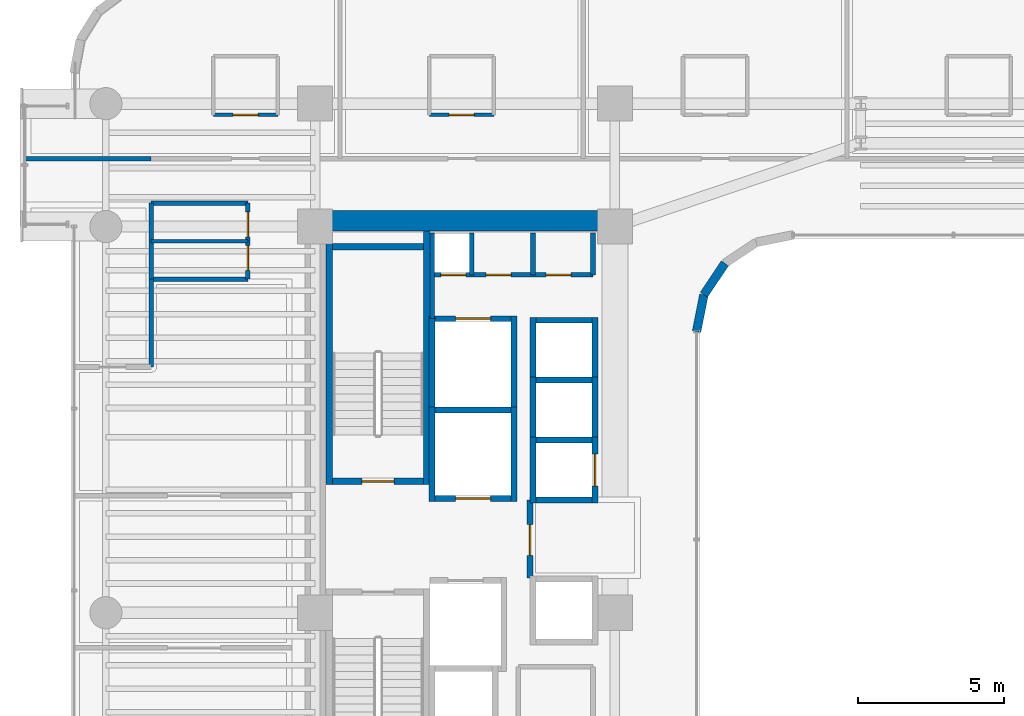
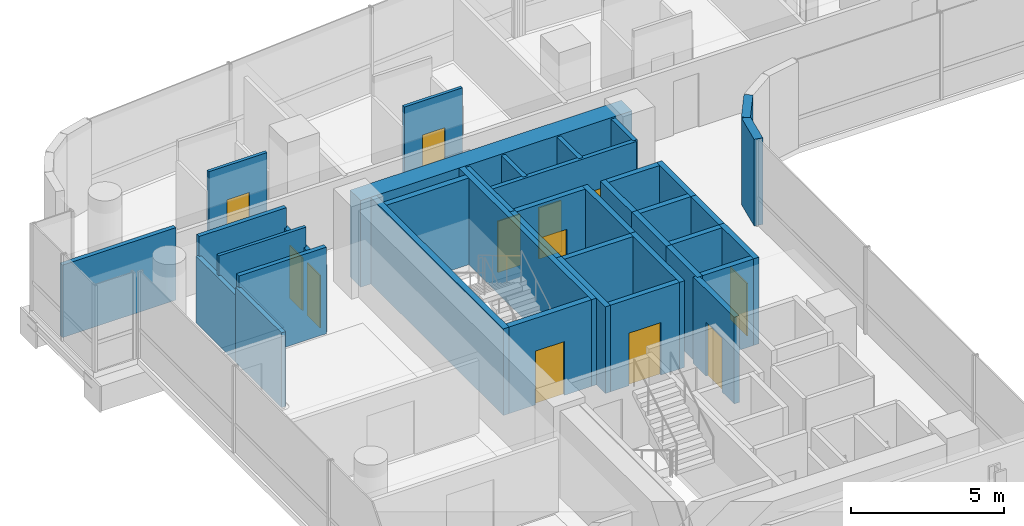
# One storey, part 28 of 35: 39 walls, 12 doors, 12 openings.
"""IFC4 building model written with IfcOpenShell, lengths in metres."""

from ifc_helpers import new_model, si_unit, direction, frame, frame_2d, origin, place, context, subcontext, project, spatial, rectangle, extrude, material, layer, layer_set, type_object, element, fill, save


model = new_model("IFC4")

# Units and contexts
model_context = context("Model", 3, precision=1e-05, world=origin(), true_north=direction((0.0, 1.0)))
body_context = subcontext(model_context, "Body", "Model", "MODEL_VIEW")
ifc_project = project(units=[si_unit("LENGTHUNIT", "METRE"), si_unit("AREAUNIT", "SQUARE_METRE"), si_unit("VOLUMEUNIT", "CUBIC_METRE"), si_unit("PLANEANGLEUNIT", "RADIAN"), si_unit("MASSUNIT", "GRAM", prefix="KILO")], contexts=[model_context])

# Site, building, storey
site_placement = place(None, origin())
site = spatial("IfcSite", under=ifc_project, at=site_placement, CompositionType="ELEMENT")
building_placement = place(site_placement, origin())
building = spatial("IfcBuilding", under=site, at=building_placement, Name="Valdorenza Pilgrim Sanctuary Tower", CompositionType="ELEMENT")
storey_placement = place(building_placement, frame((0.0, 0.0, 116.800048828125)))
storey = spatial("IfcBuildingStorey", under=building, at=storey_placement, Name="L29", CompositionType="ELEMENT", Elevation=116.800048828125)

# Wall
ifc_material_1 = material(Name="Acoustic twin-stud gypsum partition", Category="gypsum")
ifc_layer_1 = layer(ifc_material_1, 0.159912109375, Name="Acoustic twin-stud gypsum partition")
ifc_layer_set_1 = layer_set([ifc_layer_1], Name="Acoustic twin-stud gypsum partition")
wall_type_1 = type_object("IfcWallType", Name="WAL-COR-160", PredefinedType="PARTITIONING", material=ifc_layer_set_1)
wall_1_placement = place(storey_placement, frame((-18.64990234375, 7.449951171875, 0.0), z_axis=(0.0, 0.0, 1.0), x_axis=(0.0, 1.0, 0.0)))
element("IfcWall", 1, at=wall_1_placement, inside=storey, type_object=wall_type_1, Name="L29 Core A North Service West Wall", PredefinedType="PARTITIONING", context=body_context, shape_type="SweptSolid", body=[
    extrude(rectangle(XDim=2.929931640625, YDim=0.159912109375, at=frame_2d((1.46484375, 0.0))), origin(), (0.0, 0.0, 1.0), 3.4599609375),
])

# Wall, openings, doors
wall_2_placement = place(storey_placement, frame((-18.64990234375, 8.949951171875, 0.0), z_axis=(0.0, 0.0, 1.0), x_axis=(1.0, 0.0, 0.0)))
wall_2 = element("IfcWall", 2, at=wall_2_placement, inside=storey, type_object=wall_type_1, Name="L29 Core A North Service South Wall", PredefinedType="PARTITIONING", context=body_context, shape_type="SweptSolid", body=[
    extrude(rectangle(XDim=5.5, YDim=0.159912109375, at=frame_2d((2.75, 0.0))), origin(), (0.0, 0.0, 1.0), 3.4599609375),
])
opening_1_placement = place(wall_2_placement, frame((0.300048828125, 0.0, 0.0)))
opening_1 = element("IfcOpeningElement", 3, at=opening_1_placement, cuts=wall_2, Name="Opening DR-RS1", PredefinedType="OPENING", context=body_context, shape_type="SweptSolid", body=[
    extrude(rectangle(XDim=0.85009765625, YDim=2.050048828125, at=frame_2d((0.425048828125, 1.02490234375))), frame((0.0, 0.0947265625, 0.0), z_axis=(0.0, -1.0, 0.0), x_axis=(1.0, 0.0, 0.0)), (0.0, 0.0, 1.0), 0.189697265625),
])
opening_2_placement = place(wall_2_placement, frame((1.85009765625, 0.0, 0.0)))
opening_2 = element("IfcOpeningElement", 4, at=opening_2_placement, cuts=wall_2, Name="Opening DR-RS1", PredefinedType="OPENING", context=body_context, shape_type="SweptSolid", body=[
    extrude(rectangle(XDim=0.85009765625, YDim=2.050048828125, at=frame_2d((0.425048828125, 1.02490234375))), frame((0.0, 0.0947265625, 0.0), z_axis=(0.0, -1.0, 0.0), x_axis=(1.0, 0.0, 0.0)), (0.0, 0.0, 1.0), 0.189697265625),
])
opening_3_placement = place(wall_2_placement, frame((3.89990234375, 0.0, 0.0)))
opening_3 = element("IfcOpeningElement", 5, at=opening_3_placement, cuts=wall_2, Name="Opening DR-RS1", PredefinedType="OPENING", context=body_context, shape_type="SweptSolid", body=[
    extrude(rectangle(XDim=0.85009765625, YDim=2.050048828125, at=frame_2d((0.425048828125, 1.02490234375))), frame((0.0, 0.0947265625, 0.0), z_axis=(0.0, -1.0, 0.0), x_axis=(1.0, 0.0, 0.0)), (0.0, 0.0, 1.0), 0.189697265625),
])
ifc_material_2 = material(Name="Painted galvanized steel", Category="steel")
door_type_1 = type_object("IfcDoorType", Name="DR-RSR-850", OperationType="NOTDEFINED", PredefinedType="DOOR", material=ifc_material_2)
door_1_placement = place(opening_1_placement, origin())
door_1 = element("IfcDoor", 6, at=door_1_placement, inside=storey, type_object=door_type_1, Name="L29 Core Electrical and Telecom Riser Door", OperationType="SINGLE_SWING_LEFT", OverallHeight=2.050048828125, OverallWidth=0.85009765625, PredefinedType="DOOR", context=body_context, shape_type="SweptSolid", body=[
    extrude(rectangle(XDim=0.85009765625, YDim=2.050048828125, at=frame_2d((0.425048828125, 1.02490234375))), frame((0.0, 0.02490234375, 0.0), z_axis=(0.0, -1.0, 0.0), x_axis=(1.0, 0.0, 0.0)), (0.0, 0.0, 1.0), 0.050048828125),
])
fill(opening_1, door_1)
door_2_placement = place(opening_2_placement, origin())
door_2 = element("IfcDoor", 7, at=door_2_placement, inside=storey, type_object=door_type_1, Name="L29 Housekeeping and Clean Linen Room Door", OperationType="SINGLE_SWING_RIGHT", OverallHeight=2.050048828125, OverallWidth=0.85009765625, PredefinedType="DOOR", context=body_context, shape_type="SweptSolid", body=[
    extrude(rectangle(XDim=0.85009765625, YDim=2.050048828125, at=frame_2d((0.425048828125, 1.02490234375))), frame((0.0, 0.02490234375, 0.0), z_axis=(0.0, -1.0, 0.0), x_axis=(1.0, 0.0, 0.0)), (0.0, 0.0, 1.0), 0.050048828125),
])
fill(opening_2, door_2)
door_3_placement = place(opening_3_placement, origin())
door_3 = element("IfcDoor", 8, at=door_3_placement, inside=storey, type_object=door_type_1, Name="L29 Guest Ice and Vending Pantry Door", OperationType="SINGLE_SWING_LEFT", OverallHeight=2.050048828125, OverallWidth=0.85009765625, PredefinedType="DOOR", context=body_context, shape_type="SweptSolid", body=[
    extrude(rectangle(XDim=0.85009765625, YDim=2.050048828125, at=frame_2d((0.425048828125, 1.02490234375))), frame((0.0, 0.02490234375, 0.0), z_axis=(0.0, -1.0, 0.0), x_axis=(1.0, 0.0, 0.0)), (0.0, 0.0, 1.0), 0.050048828125),
])
fill(opening_3, door_3)

# Walls
for number, where, z_axis, x_axis, name in (
    (9, (-13.14990234375, 8.949951171875, 0.0), (0.0, 0.0, 1.0), (0.0, 1.0, 0.0), "L29 Core A North Service East Wall"),
    (10, (-17.300048828125, 8.949951171875, 0.0), (0.0, 0.0, 1.0), (0.0, 1.0, 0.0), "L29 Core Electrical Riser Wall"),
    (11, (-15.199951171875, 8.949951171875, 0.0), (0.0, 0.0, 1.0), (0.0, 1.0, 0.0), "L29 Core A Housekeeping Split B"),
):
    element("IfcWall", number, at=place(storey_placement, frame(where, z_axis=z_axis, x_axis=x_axis)), inside=storey, type_object=wall_type_1, Name=name, PredefinedType="PARTITIONING", context=body_context, shape_type="SweptSolid", body=[
        extrude(rectangle(XDim=1.429931640625, YDim=0.159912109375, at=frame_2d((0.71484375, 0.0))), origin(), (0.0, 0.0, 1.0), 3.4599609375),
    ])
wall_3_placement = place(storey_placement, frame((-28.25, 8.800048828125, 0.0), z_axis=(0.0, 0.0, 1.0), x_axis=(0.0, 1.0, 0.0)))
element("IfcWall", 12, at=wall_3_placement, inside=storey, type_object=wall_type_1, Name="L29 Washroom West Wall", PredefinedType="PARTITIONING", context=body_context, shape_type="SweptSolid", body=[
    extrude(rectangle(XDim=2.599853515625, YDim=0.159912109375, at=frame_2d((1.2998046875, 0.0))), origin(), (0.0, 0.0, 1.0), 2.666015625),
])

# Wall, openings, doors
wall_4_placement = place(storey_placement, frame((-24.949951171875, 8.800048828125, 0.0), z_axis=(0.0, 0.0, 1.0), x_axis=(0.0, 1.0, 0.0)))
wall_4 = element("IfcWall", 13, at=wall_4_placement, inside=storey, type_object=wall_type_1, Name="L29 Washroom East Wall", PredefinedType="PARTITIONING", context=body_context, shape_type="SweptSolid", body=[
    extrude(rectangle(XDim=2.599853515625, YDim=0.159912109375, at=frame_2d((1.2998046875, 0.0))), origin(), (0.0, 0.0, 1.0), 2.666015625),
])
opening_4_placement = place(wall_4_placement, frame((0.300048828125, 0.0, 0.0)))
opening_4 = element("IfcOpeningElement", 14, at=opening_4_placement, cuts=wall_4, Name="Opening DR-WC1", PredefinedType="OPENING", context=body_context, shape_type="SweptSolid", body=[
    extrude(rectangle(XDim=0.85009765625, YDim=2.10009765625, at=frame_2d((0.425048828125, 1.050048828125))), frame((0.0, 0.0947265625, 0.0), z_axis=(0.0, -1.0, 0.0), x_axis=(1.0, 0.0, 0.0)), (0.0, 0.0, 1.0), 0.189697265625),
])
opening_5_placement = place(wall_4_placement, frame((1.449951171875, 0.0, 0.0)))
opening_5 = element("IfcOpeningElement", 15, at=opening_5_placement, cuts=wall_4, Name="Opening DR-WC1", PredefinedType="OPENING", context=body_context, shape_type="SweptSolid", body=[
    extrude(rectangle(XDim=0.85009765625, YDim=2.10009765625, at=frame_2d((0.425048828125, 1.050048828125))), frame((0.0, 0.0947265625, 0.0), z_axis=(0.0, -1.0, 0.0), x_axis=(1.0, 0.0, 0.0)), (0.0, 0.0, 1.0), 0.189697265625),
])
ifc_material_3 = material(Name="Moisture-resistant lacquered timber", Category="wood")
door_type_2 = type_object("IfcDoorType", Name="DR-BATH-850", OperationType="NOTDEFINED", PredefinedType="DOOR", material=ifc_material_3)
door_4_placement = place(opening_4_placement, origin())
door_4 = element("IfcDoor", 16, at=door_4_placement, inside=storey, type_object=door_type_2, Name="L29 Accessible Washroom Door", OperationType="SINGLE_SWING_LEFT", OverallHeight=2.10009765625, OverallWidth=0.85009765625, PredefinedType="DOOR", context=body_context, shape_type="SweptSolid", body=[
    extrude(rectangle(XDim=0.85009765625, YDim=2.10009765625, at=frame_2d((0.425048828125, 1.050048828125))), frame((0.0, 0.02490234375, 0.0), z_axis=(0.0, -1.0, 0.0), x_axis=(1.0, 0.0, 0.0)), (0.0, 0.0, 1.0), 0.050048828125),
])
fill(opening_4, door_4)
door_5_placement = place(opening_5_placement, origin())
door_5 = element("IfcDoor", 17, at=door_5_placement, inside=storey, type_object=door_type_2, Name="L29 Public Washroom Door", OperationType="SINGLE_SWING_RIGHT", OverallHeight=2.10009765625, OverallWidth=0.85009765625, PredefinedType="DOOR", context=body_context, shape_type="SweptSolid", body=[
    extrude(rectangle(XDim=0.85009765625, YDim=2.10009765625, at=frame_2d((0.425048828125, 1.050048828125))), frame((0.0, 0.02490234375, 0.0), z_axis=(0.0, -1.0, 0.0), x_axis=(1.0, 0.0, 0.0)), (0.0, 0.0, 1.0), 0.050048828125),
])
fill(opening_5, door_5)

# Walls
for number, where, z_axis, x_axis, name in (
    (18, (-28.25, 8.800048828125, 0.0), (0.0, 0.0, 1.0), (1.0, 0.0, 0.0), "L29 Washroom South Wall"),
    (19, (-28.25, 11.39990234375, 0.0), (0.0, 0.0, 1.0), (1.0, 0.0, 0.0), "L29 Washroom North Wall"),
):
    element("IfcWall", number, at=place(storey_placement, frame(where, z_axis=z_axis, x_axis=x_axis)), inside=storey, type_object=wall_type_1, Name=name, PredefinedType="PARTITIONING", context=body_context, shape_type="SweptSolid", body=[
        extrude(rectangle(XDim=3.300048828125, YDim=0.159912109375, at=frame_2d((1.64990234375, 0.0))), origin(), (0.0, 0.0, 1.0), 3.4599609375),
    ])
wall_5_placement = place(storey_placement, frame((-28.25, 5.800048828125, 0.0), z_axis=(0.0, 0.0, 1.0), x_axis=(0.0, 1.0, 0.0)))
element("IfcWall", 20, at=wall_5_placement, inside=storey, type_object=wall_type_1, Name="L29 Cloister NE Closure", PredefinedType="PARTITIONING", context=body_context, shape_type="SweptSolid", body=[
    extrude(rectangle(XDim=3.0, YDim=0.159912109375, at=frame_2d((1.5, 0.0))), origin(), (0.0, 0.0, 1.0), 2.988037109375),
])
wall_6_placement = place(storey_placement, frame((-32.5400390625, 12.919921875, 0.0), z_axis=(0.0, 0.0, 1.0), x_axis=(1.0, 0.0, 0.0)))
element("IfcWall", 21, at=wall_6_placement, inside=storey, type_object=wall_type_1, Name="L29 Cloister North Solid Partition", PredefinedType="PARTITIONING", context=body_context, shape_type="SweptSolid", body=[
    extrude(rectangle(XDim=4.2900390625, YDim=0.159912109375, at=frame_2d((2.14501953125, 0.0))), origin(), (0.0, 0.0, 1.0), 2.89599609375),
])
ifc_material_4 = material(Name="Concrete C60/75", Category="concrete")
ifc_layer_2 = layer(ifc_material_4, 0.699951171875, Name="Concrete C60/75")
ifc_layer_set_2 = layer_set([ifc_layer_2], Name="Concrete C60/75")
wall_type_2 = type_object("IfcWallType", Name="WAL-COR-700", PredefinedType="SHEAR", material=ifc_layer_set_2)
wall_7_placement = place(storey_placement, frame((-22.64990234375, 10.800048828125, 0.0), z_axis=(0.0, 0.0, 1.0), x_axis=(1.0, 0.0, 0.0)))
element("IfcWall", 22, at=wall_7_placement, inside=storey, type_object=wall_type_2, Name="L29 Split Core A Shear Wall N", PredefinedType="SHEAR", context=body_context, shape_type="SweptSolid", body=[
    extrude(rectangle(XDim=10.25, YDim=0.699951171875, at=frame_2d((5.125, 0.0))), origin(), (0.0, 0.0, 1.0), 3.4599609375),
])
ifc_material_5 = material(Name="Honed travertine limestone", Category="masonry")
ifc_layer_3 = layer(ifc_material_5, 0.300048828125, Name="Honed travertine limestone")
ifc_layer_set_3 = layer_set([ifc_layer_3], Name="Honed travertine limestone")
wall_type_3 = type_object("IfcWallType", Name="WAL-EXT-300", PredefinedType="SOLIDWALL", material=ifc_layer_set_3)
wall_8_placement = place(storey_placement, frame((-8.64208984375, 9.342041015625, 0.0), z_axis=(0.0, 0.0, 1.0), x_axis=(-0.555615398575, -0.831439431869, 0.0)))
element("IfcWall", 23, at=wall_8_placement, inside=storey, type_object=wall_type_3, Name="L29 Rounded Wind-Corner Stone Pier 39", PredefinedType="SOLIDWALL", context=body_context, shape_type="SweptSolid", body=[
    extrude(rectangle(XDim=1.292236328125, YDim=0.300048828125, at=frame_2d((0.64599609375, 0.0))), origin(), (0.0, 0.0, 1.0), 3.4599609375),
])
wall_9_placement = place(storey_placement, frame((-9.360107421875, 8.267578125, 0.0), z_axis=(0.0, 0.0, 1.0), x_axis=(-0.195090163074, -0.980785312019, 0.0)))
element("IfcWall", 24, at=wall_9_placement, inside=storey, type_object=wall_type_3, Name="L29 Rounded Wind-Corner Stone Pier 40", PredefinedType="SOLIDWALL", context=body_context, shape_type="SweptSolid", body=[
    extrude(rectangle(XDim=1.281494140625, YDim=0.300048828125, at=frame_2d((0.640625, 0.0))), origin(), (0.0, 0.0, 1.0), 3.4599609375),
])

# Wall, opening, door
ifc_material_6 = material(Name="Gypsum shaftwall partition", Category="gypsum")
ifc_layer_4 = layer(ifc_material_6, 0.199951171875, Name="Gypsum shaftwall partition")
ifc_layer_set_4 = layer_set([ifc_layer_4], Name="Gypsum shaftwall partition")
wall_type_4 = type_object("IfcWallType", Name="WAL-FFL-200", PredefinedType="PARTITIONING", material=ifc_layer_set_4)
wall_10_placement = place(storey_placement, frame((-15.300048828125, -1.419921875, 0.0), z_axis=(0.0, 0.0, 1.0), x_axis=(0.0, 1.0, 0.0)))
wall_10 = element("IfcWall", 25, at=wall_10_placement, inside=storey, type_object=wall_type_4, Name="L29 Core A Firefighting Lobby East Wall", PredefinedType="PARTITIONING", context=body_context, shape_type="SweptSolid", body=[
    extrude(rectangle(XDim=2.669921875, YDim=0.199951171875, at=frame_2d((1.3349609375, 0.0))), origin(), (0.0, 0.0, 1.0), 3.4599609375),
])
opening_6_placement = place(wall_10_placement, frame((0.780029296875, 0.0, 0.0)))
opening_6 = element("IfcOpeningElement", 26, at=opening_6_placement, cuts=wall_10, Name="Opening DR-FL1", PredefinedType="OPENING", context=body_context, shape_type="SweptSolid", body=[
    extrude(rectangle(XDim=1.050048828125, YDim=2.14990234375, at=frame_2d((0.52490234375, 1.074951171875))), frame((0.0, 0.11474609375, 0.0), z_axis=(0.0, -1.0, 0.0), x_axis=(1.0, 0.0, 0.0)), (0.0, 0.0, 1.0), 0.229736328125),
])
door_type_3 = type_object("IfcDoorType", Name="DR-FFL-1050", OperationType="NOTDEFINED", PredefinedType="DOOR", material=ifc_material_2)
door_6_placement = place(opening_6_placement, origin())
door_6 = element("IfcDoor", 27, at=door_6_placement, inside=storey, type_object=door_type_3, Name="L29 Core A Firefighting Lobby Door", OperationType="SINGLE_SWING_RIGHT", OverallHeight=2.14990234375, OverallWidth=1.050048828125, PredefinedType="DOOR", context=body_context, shape_type="SweptSolid", body=[
    extrude(rectangle(XDim=1.050048828125, YDim=2.14990234375, at=frame_2d((0.52490234375, 1.074951171875))), frame((0.0, 0.02490234375, 0.0), z_axis=(0.0, -1.0, 0.0), x_axis=(1.0, 0.0, 0.0)), (0.0, 0.0, 1.0), 0.050048828125),
])
fill(opening_6, door_6)

# Wall
ifc_material_7 = material(Name="Moisture-resistant gypsum partition", Category="gypsum")
ifc_layer_5 = layer(ifc_material_7, 0.1201171875, Name="Moisture-resistant gypsum partition")
ifc_layer_set_5 = layer_set([ifc_layer_5], Name="Moisture-resistant gypsum partition")
wall_type_5 = type_object("IfcWallType", Name="WAL-INT-120", PredefinedType="PARTITIONING", material=ifc_layer_set_5)
wall_11_placement = place(storey_placement, frame((-28.25, 10.10009765625, 0.0), z_axis=(0.0, 0.0, 1.0), x_axis=(1.0, 0.0, 0.0)))
element("IfcWall", 28, at=wall_11_placement, inside=storey, type_object=wall_type_5, Name="L29 Washroom Divider Wall", PredefinedType="PARTITIONING", context=body_context, shape_type="SweptSolid", body=[
    extrude(rectangle(XDim=3.300048828125, YDim=0.1201171875, at=frame_2d((1.64990234375, 0.0))), origin(), (0.0, 0.0, 1.0), 3.4599609375),
])

# Wall, opening, door
wall_12_placement = place(storey_placement, frame((-26.125, 14.419921875, 0.0), z_axis=(0.0, 0.0, 1.0), x_axis=(1.0, 0.0, 0.0)))
wall_12 = element("IfcWall", 29, at=wall_12_placement, inside=storey, type_object=wall_type_5, Name="L29 North Guest Room L29-N1 En-suite Door Wall", PredefinedType="PARTITIONING", context=body_context, shape_type="SweptSolid", body=[
    extrude(rectangle(XDim=2.199951171875, YDim=0.1201171875, at=frame_2d((1.10009765625, 0.0))), origin(), (0.0, 0.0, 1.0), 3.4599609375),
])
opening_7_placement = place(wall_12_placement, frame((0.675048828125, 0.0, 0.0)))
opening_7 = element("IfcOpeningElement", 30, at=opening_7_placement, cuts=wall_12, Name="Opening DR-WC1", PredefinedType="OPENING", context=body_context, shape_type="SweptSolid", body=[
    extrude(rectangle(XDim=0.85009765625, YDim=2.10009765625, at=frame_2d((0.425048828125, 1.050048828125))), frame((0.0, 0.074951171875, 0.0), z_axis=(0.0, -1.0, 0.0), x_axis=(1.0, 0.0, 0.0)), (0.0, 0.0, 1.0), 0.14990234375),
])
door_7_placement = place(opening_7_placement, origin())
door_7 = element("IfcDoor", 31, at=door_7_placement, inside=storey, type_object=door_type_2, Name="L29 North Guest Room L29-N1 En-suite Bathroom Door", OperationType="SINGLE_SWING_RIGHT", OverallHeight=2.10009765625, OverallWidth=0.85009765625, PredefinedType="DOOR", context=body_context, shape_type="SweptSolid", body=[
    extrude(rectangle(XDim=0.85009765625, YDim=2.10009765625, at=frame_2d((0.425048828125, 1.050048828125))), frame((0.0, 0.02490234375, 0.0), z_axis=(0.0, -1.0, 0.0), x_axis=(1.0, 0.0, 0.0)), (0.0, 0.0, 1.0), 0.050048828125),
])
fill(opening_7, door_7)

wall_13_placement = place(storey_placement, frame((-18.739990234375, 14.419921875, 0.0), z_axis=(0.0, 0.0, 1.0), x_axis=(1.0, 0.0, 0.0)))
wall_13 = element("IfcWall", 32, at=wall_13_placement, inside=storey, type_object=wall_type_5, Name="L29 North Guest Room L29-N2 En-suite Door Wall", PredefinedType="PARTITIONING", context=body_context, shape_type="SweptSolid", body=[
    extrude(rectangle(XDim=2.199951171875, YDim=0.1201171875, at=frame_2d((1.10009765625, 0.0))), origin(), (0.0, 0.0, 1.0), 3.4599609375),
])
opening_8_placement = place(wall_13_placement, frame((0.675048828125, 0.0, 0.0)))
opening_8 = element("IfcOpeningElement", 33, at=opening_8_placement, cuts=wall_13, Name="Opening DR-WC1", PredefinedType="OPENING", context=body_context, shape_type="SweptSolid", body=[
    extrude(rectangle(XDim=0.85009765625, YDim=2.10009765625, at=frame_2d((0.425048828125, 1.050048828125))), frame((0.0, 0.074951171875, 0.0), z_axis=(0.0, -1.0, 0.0), x_axis=(1.0, 0.0, 0.0)), (0.0, 0.0, 1.0), 0.14990234375),
])
door_8_placement = place(opening_8_placement, origin())
door_8 = element("IfcDoor", 34, at=door_8_placement, inside=storey, type_object=door_type_2, Name="L29 North Guest Room L29-N2 En-suite Bathroom Door", OperationType="SINGLE_SWING_RIGHT", OverallHeight=2.10009765625, OverallWidth=0.85009765625, PredefinedType="DOOR", context=body_context, shape_type="SweptSolid", body=[
    extrude(rectangle(XDim=0.85009765625, YDim=2.10009765625, at=frame_2d((0.425048828125, 1.050048828125))), frame((0.0, 0.02490234375, 0.0), z_axis=(0.0, -1.0, 0.0), x_axis=(1.0, 0.0, 0.0)), (0.0, 0.0, 1.0), 0.050048828125),
])
fill(opening_8, door_8)

# Walls
ifc_material_8 = material(Name="Autoclaved aerated concrete blockwork", Category="masonry")
ifc_layer_6 = layer(ifc_material_8, 0.199951171875, Name="Autoclaved aerated concrete blockwork")
ifc_layer_set_6 = layer_set([ifc_layer_6], Name="Autoclaved aerated concrete blockwork")
wall_type_6 = type_object("IfcWallType", Name="WAL-SHF-200", PredefinedType="MOVABLE", material=ifc_layer_set_6)
for number, where, z_axis, x_axis, name in (
    (35, (-18.64990234375, 1.199951171875, 0.0), (0.0, 0.0, 1.0), (0.0, 1.0, 0.0), "L29 Lift FFL-01 Hoistway Wall West"),
    (36, (-15.85009765625, 1.199951171875, 0.0), (0.0, 0.0, 1.0), (0.0, 1.0, 0.0), "L29 Lift FFL-01 Hoistway Wall East"),
):
    element("IfcWall", number, at=place(storey_placement, frame(where, z_axis=z_axis, x_axis=x_axis)), inside=storey, type_object=wall_type_6, Name=name, PredefinedType="MOVABLE", context=body_context, shape_type="SweptSolid", body=[
        extrude(rectangle(XDim=3.22509765625, YDim=0.199951171875, at=frame_2d((1.612548828125, 0.0))), origin(), (0.0, 0.0, 1.0), 3.4599609375),
    ])

# Wall, opening, door
wall_14_placement = place(storey_placement, frame((-18.550048828125, 1.300048828125, 0.0), z_axis=(0.0, 0.0, 1.0), x_axis=(1.0, 0.0, 0.0)))
wall_14 = element("IfcWall", 37, at=wall_14_placement, inside=storey, type_object=wall_type_6, Name="L29 Lift FFL-01 Hoistway Wall South", PredefinedType="MOVABLE", context=body_context, shape_type="SweptSolid", body=[
    extrude(rectangle(XDim=2.60009765625, YDim=0.199951171875, at=frame_2d((1.300048828125, 0.0))), origin(), (0.0, 0.0, 1.0), 3.4599609375),
])
opening_9_placement = place(wall_14_placement, frame((0.699951171875, 0.0, 0.0)))
opening_9 = element("IfcOpeningElement", 38, at=opening_9_placement, cuts=wall_14, Name="Opening LD-02", PredefinedType="OPENING", context=body_context, shape_type="SweptSolid", body=[
    extrude(rectangle(XDim=1.199951171875, YDim=2.10009765625, at=frame_2d((0.60009765625, 1.050048828125))), frame((0.0, 0.11474609375, 0.0), z_axis=(0.0, -1.0, 0.0), x_axis=(1.0, 0.0, 0.0)), (0.0, 0.0, 1.0), 0.229736328125),
])
ifc_material_9 = material(Name="Brushed stainless steel Grade 316", Category="steel")
door_type_4 = type_object("IfcDoorType", Name="DR-LFT-1200", OperationType="DOUBLE_DOOR_SLIDING", PredefinedType="DOOR", material=ifc_material_9)
door_9_placement = place(opening_9_placement, origin())
door_9 = element("IfcDoor", 39, at=door_9_placement, inside=storey, type_object=door_type_4, Name="L29 Lift FFL-01 Sliding Landing Door", OperationType="DOUBLE_DOOR_SLIDING", OverallHeight=2.10009765625, OverallWidth=1.199951171875, PredefinedType="DOOR", context=body_context, shape_type="SweptSolid", body=[
    extrude(rectangle(XDim=1.199951171875, YDim=2.10009765625, at=frame_2d((0.60009765625, 1.050048828125))), frame((0.0, 0.02490234375, 0.0), z_axis=(0.0, -1.0, 0.0), x_axis=(1.0, 0.0, 0.0)), (0.0, 0.0, 1.0), 0.050048828125),
])
fill(opening_9, door_9)

# Walls
wall_15_placement = place(storey_placement, frame((-18.550048828125, 4.324951171875, 0.0), z_axis=(0.0, 0.0, 1.0), x_axis=(1.0, 0.0, 0.0)))
element("IfcWall", 40, at=wall_15_placement, inside=storey, type_object=wall_type_6, Name="L29 Lift FFL-01 Hoistway Wall North", PredefinedType="MOVABLE", context=body_context, shape_type="SweptSolid", body=[
    extrude(rectangle(XDim=2.60009765625, YDim=0.199951171875, at=frame_2d((1.300048828125, 0.0))), origin(), (0.0, 0.0, 1.0), 3.4599609375),
])
for number, where, z_axis, x_axis, name in (
    (41, (-18.64990234375, 4.22509765625, 0.0), (0.0, 0.0, 1.0), (0.0, 1.0, 0.0), "L29 Lift SVL-01 Hoistway Wall West"),
    (42, (-15.85009765625, 4.22509765625, 0.0), (0.0, 0.0, 1.0), (0.0, 1.0, 0.0), "L29 Lift SVL-01 Hoistway Wall East"),
):
    element("IfcWall", number, at=place(storey_placement, frame(where, z_axis=z_axis, x_axis=x_axis)), inside=storey, type_object=wall_type_6, Name=name, PredefinedType="MOVABLE", context=body_context, shape_type="SweptSolid", body=[
        extrude(rectangle(XDim=3.324951171875, YDim=0.199951171875, at=frame_2d((1.66259765625, 0.0))), origin(), (0.0, 0.0, 1.0), 3.4599609375),
    ])

# Wall, opening, door
wall_16_placement = place(storey_placement, frame((-18.550048828125, 7.449951171875, 0.0), z_axis=(0.0, 0.0, 1.0), x_axis=(1.0, 0.0, 0.0)))
wall_16 = element("IfcWall", 43, at=wall_16_placement, inside=storey, type_object=wall_type_6, Name="L29 Lift SVL-01 Hoistway Wall North", PredefinedType="MOVABLE", context=body_context, shape_type="SweptSolid", body=[
    extrude(rectangle(XDim=2.60009765625, YDim=0.199951171875, at=frame_2d((1.300048828125, 0.0))), origin(), (0.0, 0.0, 1.0), 3.4599609375),
])
opening_10_placement = place(wall_16_placement, frame((0.699951171875, 0.0, 0.0)))
opening_10 = element("IfcOpeningElement", 44, at=opening_10_placement, cuts=wall_16, Name="Opening LD-02", PredefinedType="OPENING", context=body_context, shape_type="SweptSolid", body=[
    extrude(rectangle(XDim=1.199951171875, YDim=2.10009765625, at=frame_2d((0.60009765625, 1.050048828125))), frame((0.0, 0.11474609375, 0.0), z_axis=(0.0, -1.0, 0.0), x_axis=(1.0, 0.0, 0.0)), (0.0, 0.0, 1.0), 0.229736328125),
])
door_10_placement = place(opening_10_placement, origin())
door_10 = element("IfcDoor", 45, at=door_10_placement, inside=storey, type_object=door_type_4, Name="L29 Lift SVL-01 Sliding Landing Door", OperationType="DOUBLE_DOOR_SLIDING", OverallHeight=2.10009765625, OverallWidth=1.199951171875, PredefinedType="DOOR", context=body_context, shape_type="SweptSolid", body=[
    extrude(rectangle(XDim=1.199951171875, YDim=2.10009765625, at=frame_2d((0.60009765625, 1.050048828125))), frame((0.0, 0.02490234375, 0.0), z_axis=(0.0, -1.0, 0.0), x_axis=(1.0, 0.0, 0.0)), (0.0, 0.0, 1.0), 0.050048828125),
])
fill(opening_10, door_10)

# Wall
wall_17_placement = place(storey_placement, frame((-15.199951171875, 1.14990234375, 0.0), z_axis=(0.0, 0.0, 1.0), x_axis=(0.0, 1.0, 0.0)))
element("IfcWall", 46, at=wall_17_placement, inside=storey, type_object=wall_type_6, Name="L29 Lift PL-06 Hoistway Wall West", PredefinedType="MOVABLE", context=body_context, shape_type="SweptSolid", body=[
    extrude(rectangle(XDim=2.25, YDim=0.199951171875, at=frame_2d((1.125, 0.0))), origin(), (0.0, 0.0, 1.0), 3.4599609375),
])

# Wall, opening, door
wall_18_placement = place(storey_placement, frame((-13.080078125, 1.14990234375, 0.0), z_axis=(0.0, 0.0, 1.0), x_axis=(0.0, 1.0, 0.0)))
wall_18 = element("IfcWall", 47, at=wall_18_placement, inside=storey, type_object=wall_type_6, Name="L29 Lift PL-06 Hoistway Wall East", PredefinedType="MOVABLE", context=body_context, shape_type="SweptSolid", body=[
    extrude(rectangle(XDim=2.25, YDim=0.199951171875, at=frame_2d((1.125, 0.0))), origin(), (0.0, 0.0, 1.0), 3.4599609375),
])
opening_11_placement = place(wall_18_placement, frame((0.574951171875, 0.0, 0.0)))
opening_11 = element("IfcOpeningElement", 48, at=opening_11_placement, cuts=wall_18, Name="Opening LD-01", PredefinedType="OPENING", context=body_context, shape_type="SweptSolid", body=[
    extrude(rectangle(XDim=1.10009765625, YDim=2.10009765625, at=frame_2d((0.550048828125, 1.050048828125))), frame((0.0, 0.11474609375, 0.0), z_axis=(0.0, -1.0, 0.0), x_axis=(1.0, 0.0, 0.0)), (0.0, 0.0, 1.0), 0.229736328125),
])
door_type_5 = type_object("IfcDoorType", Name="DR-LFT-1100", OperationType="DOUBLE_DOOR_SLIDING", PredefinedType="DOOR", material=ifc_material_9)
door_11_placement = place(opening_11_placement, origin())
door_11 = element("IfcDoor", 49, at=door_11_placement, inside=storey, type_object=door_type_5, Name="L29 Lift PL-06 Sliding Landing Door", OperationType="DOUBLE_DOOR_SLIDING", OverallHeight=2.10009765625, OverallWidth=1.10009765625, PredefinedType="DOOR", context=body_context, shape_type="SweptSolid", body=[
    extrude(rectangle(XDim=1.10009765625, YDim=2.10009765625, at=frame_2d((0.550048828125, 1.050048828125))), frame((0.0, 0.02490234375, 0.0), z_axis=(0.0, -1.0, 0.0), x_axis=(1.0, 0.0, 0.0)), (0.0, 0.0, 1.0), 0.050048828125),
])
fill(opening_11, door_11)

# Walls
wall_19_placement = place(storey_placement, frame((-15.10009765625, 1.25, 0.0), z_axis=(0.0, 0.0, 1.0), x_axis=(1.0, 0.0, 0.0)))
element("IfcWall", 50, at=wall_19_placement, inside=storey, type_object=wall_type_6, Name="L29 Lift PL-06 Hoistway Wall South", PredefinedType="MOVABLE", context=body_context, shape_type="SweptSolid", body=[
    extrude(rectangle(XDim=1.920166015625, YDim=0.199951171875, at=frame_2d((0.9599609375, 0.0))), origin(), (0.0, 0.0, 1.0), 3.4599609375),
])
for number, where, z_axis, x_axis, name in (
    (51, (-15.199951171875, 3.199951171875, 0.0), (0.0, 0.0, 1.0), (0.0, 1.0, 0.0), "L29 Lift PL-09 Hoistway Wall West"),
    (52, (-13.080078125, 3.199951171875, 0.0), (0.0, 0.0, 1.0), (0.0, 1.0, 0.0), "L29 Lift PL-09 Hoistway Wall East"),
):
    element("IfcWall", number, at=place(storey_placement, frame(where, z_axis=z_axis, x_axis=x_axis)), inside=storey, type_object=wall_type_6, Name=name, PredefinedType="MOVABLE", context=body_context, shape_type="SweptSolid", body=[
        extrude(rectangle(XDim=2.25, YDim=0.199951171875, at=frame_2d((1.125, 0.0))), origin(), (0.0, 0.0, 1.0), 3.4599609375),
    ])
for number, where, z_axis, x_axis, name in (
    (53, (-15.10009765625, 3.300048828125, 0.0), (0.0, 0.0, 1.0), (1.0, 0.0, 0.0), "L29 Lift PL-09 Hoistway Wall South"),
    (54, (-15.10009765625, 5.35009765625, 0.0), (0.0, 0.0, 1.0), (1.0, 0.0, 0.0), "L29 Lift PL-09 Hoistway Wall North"),
):
    element("IfcWall", number, at=place(storey_placement, frame(where, z_axis=z_axis, x_axis=x_axis)), inside=storey, type_object=wall_type_6, Name=name, PredefinedType="MOVABLE", context=body_context, shape_type="SweptSolid", body=[
        extrude(rectangle(XDim=1.920166015625, YDim=0.199951171875, at=frame_2d((0.9599609375, 0.0))), origin(), (0.0, 0.0, 1.0), 3.4599609375),
    ])
for number, where, z_axis, x_axis, name in (
    (55, (-15.199951171875, 5.25, 0.0), (0.0, 0.0, 1.0), (0.0, 1.0, 0.0), "L29 Lift PL-10 Hoistway Wall West"),
    (56, (-13.080078125, 5.25, 0.0), (0.0, 0.0, 1.0), (0.0, 1.0, 0.0), "L29 Lift PL-10 Hoistway Wall East"),
):
    element("IfcWall", number, at=place(storey_placement, frame(where, z_axis=z_axis, x_axis=x_axis)), inside=storey, type_object=wall_type_6, Name=name, PredefinedType="MOVABLE", context=body_context, shape_type="SweptSolid", body=[
        extrude(rectangle(XDim=2.25, YDim=0.199951171875, at=frame_2d((1.125, 0.0))), origin(), (0.0, 0.0, 1.0), 3.4599609375),
    ])
wall_20_placement = place(storey_placement, frame((-15.10009765625, 7.39990234375, 0.0), z_axis=(0.0, 0.0, 1.0), x_axis=(1.0, 0.0, 0.0)))
element("IfcWall", 57, at=wall_20_placement, inside=storey, type_object=wall_type_6, Name="L29 Lift PL-10 Hoistway Wall North", PredefinedType="MOVABLE", context=body_context, shape_type="SweptSolid", body=[
    extrude(rectangle(XDim=1.920166015625, YDim=0.199951171875, at=frame_2d((0.9599609375, 0.0))), origin(), (0.0, 0.0, 1.0), 3.4599609375),
])
ifc_material_10 = material(Name="Concrete C40/50", Category="concrete")
ifc_layer_7 = layer(ifc_material_10, 0.219970703125, Name="Concrete C40/50")
ifc_layer_set_7 = layer_set([ifc_layer_7], Name="Concrete C40/50")
wall_type_7 = type_object("IfcWallType", Name="WAL-STR-SHF-220", PredefinedType="SHEAR", material=ifc_layer_set_7)
for number, where, z_axis, x_axis, name in (
    (58, (-22.159912109375, 1.780029296875, 0.0), (0.0, 0.0, 1.0), (0.0, 1.0, 0.0), "L29 ST-A1 Structural Stairwell Wall W"),
    (59, (-18.830078125, 1.780029296875, 0.0), (0.0, 0.0, 1.0), (0.0, 1.0, 0.0), "L29 ST-A1 Structural Stairwell Wall E"),
):
    element("IfcWall", number, at=place(storey_placement, frame(where, z_axis=z_axis, x_axis=x_axis)), inside=storey, type_object=wall_type_7, Name=name, PredefinedType="SHEAR", context=body_context, shape_type="SweptSolid", body=[
        extrude(rectangle(XDim=8.669921875, YDim=0.219970703125, at=frame_2d((4.3349609375, 0.0))), origin(), (0.0, 0.0, 1.0), 3.4599609375),
    ])

# Wall, opening, door
wall_21_placement = place(storey_placement, frame((-22.050048828125, 1.889892578125, 0.0), z_axis=(0.0, 0.0, 1.0), x_axis=(1.0, 0.0, 0.0)))
wall_21 = element("IfcWall", 60, at=wall_21_placement, inside=storey, type_object=wall_type_7, Name="L29 ST-A1 Structural Stairwell Wall S", PredefinedType="SHEAR", context=body_context, shape_type="SweptSolid", body=[
    extrude(rectangle(XDim=3.110107421875, YDim=0.219970703125, at=frame_2d((1.55517578125, 0.0))), origin(), (0.0, 0.0, 1.0), 3.4599609375),
])
opening_12_placement = place(wall_21_placement, frame((1.0, 0.0, 0.0)))
opening_12 = element("IfcOpeningElement", 61, at=opening_12_placement, cuts=wall_21, Name="Opening DR-ST1", PredefinedType="OPENING", context=body_context, shape_type="SweptSolid", body=[
    extrude(rectangle(XDim=1.10009765625, YDim=2.14990234375, at=frame_2d((0.550048828125, 1.074951171875))), frame((0.0, 0.125, 0.0), z_axis=(0.0, -1.0, 0.0), x_axis=(1.0, 0.0, 0.0)), (0.0, 0.0, 1.0), 0.249755859375),
])
door_type_6 = type_object("IfcDoorType", Name="DR-STAIR-1100", OperationType="NOTDEFINED", PredefinedType="DOOR", material=ifc_material_2)
door_12_placement = place(opening_12_placement, frame((1.10009765625, 0.0, 0.0), z_axis=(0.0, 0.0, 1.0), x_axis=(-1.0, 0.0, 0.0)))
door_12 = element("IfcDoor", 62, at=door_12_placement, inside=storey, type_object=door_type_6, Name="L29 Exit Stair ST-A1 Door", OperationType="SINGLE_SWING_LEFT", OverallHeight=2.14990234375, OverallWidth=1.10009765625, PredefinedType="DOOR", context=body_context, shape_type="SweptSolid", body=[
    extrude(rectangle(XDim=1.10009765625, YDim=2.14990234375, at=frame_2d((0.550048828125, 1.074951171875))), frame((0.0, 0.02490234375, 0.0), z_axis=(0.0, -1.0, 0.0), x_axis=(1.0, 0.0, 0.0)), (0.0, 0.0, 1.0), 0.050048828125),
])
fill(opening_12, door_12)

# Wall
wall_22_placement = place(storey_placement, frame((-22.050048828125, 9.909912109375, 0.0), z_axis=(0.0, 0.0, 1.0), x_axis=(1.0, 0.0, 0.0)))
element("IfcWall", 63, at=wall_22_placement, inside=storey, type_object=wall_type_7, Name="L29 ST-A1 Structural Stairwell Wall N", PredefinedType="SHEAR", context=body_context, shape_type="SweptSolid", body=[
    extrude(rectangle(XDim=3.110107421875, YDim=0.219970703125, at=frame_2d((1.55517578125, 0.0))), origin(), (0.0, 0.0, 1.0), 3.4599609375),
])

save(model, "model.ifc")
